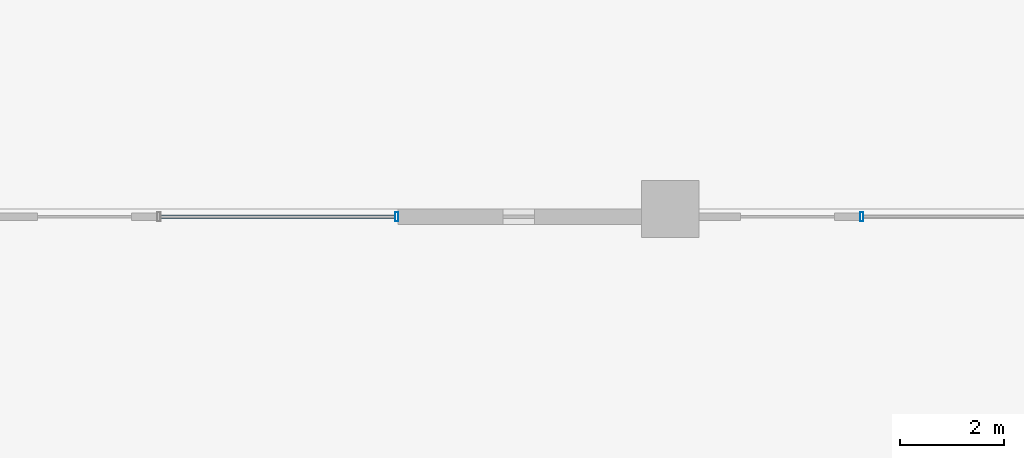
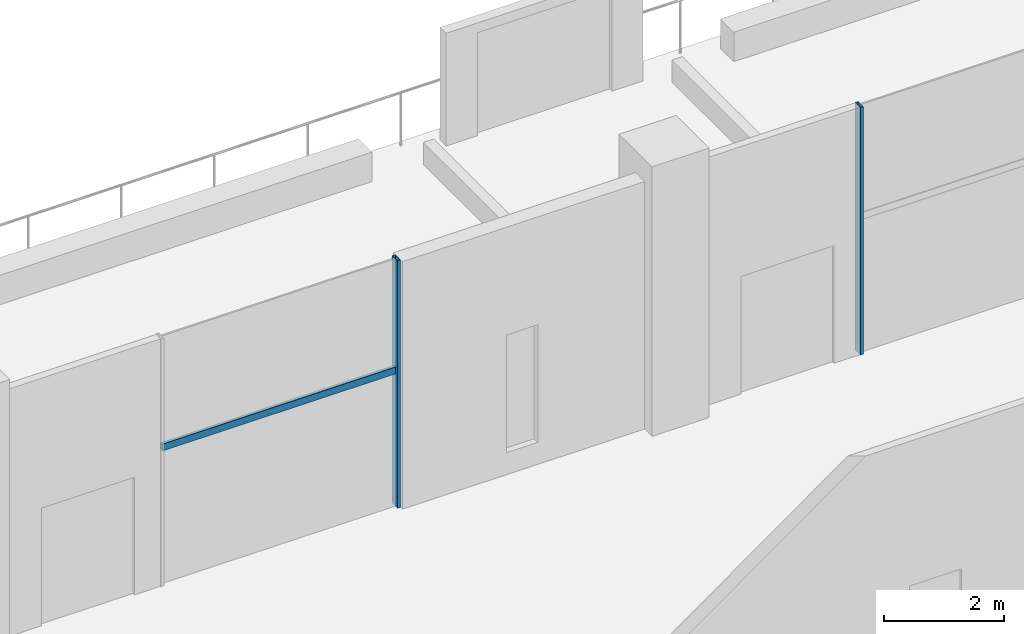
# One storey, part 10 of 47: 3 members, 2 elements without a shape of their own.
"""IFC4 building model written with IfcOpenShell, lengths in metres."""

from ifc_helpers import new_model, si_unit, direction, frame, origin, origin_2d, place, context, subcontext, project, spatial, hollow_rectangle, extrude, material, material_profile, profile_set, type_object, element, aggregate, save


model = new_model("IFC4")

# Units and contexts
model_context = context("Model", 3, precision=1e-05, world=origin(), true_north=direction((0.0, 1.0)))
body_context = subcontext(model_context, "Body", "Model", "MODEL_VIEW")
ifc_project = project(units=[si_unit("LENGTHUNIT", "METRE"), si_unit("AREAUNIT", "SQUARE_METRE"), si_unit("VOLUMEUNIT", "CUBIC_METRE"), si_unit("PLANEANGLEUNIT", "RADIAN"), si_unit("MASSUNIT", "GRAM", prefix="KILO")], contexts=[model_context])

# Site, building, storey
site_placement = place(None, origin())
site = spatial("IfcSite", under=ifc_project, at=site_placement, CompositionType="ELEMENT")
building_placement = place(site_placement, origin())
building = spatial("IfcBuilding", under=site, at=building_placement, Name="Altepetl Exchange Towers", CompositionType="ELEMENT")
storey_placement = place(building_placement, frame((0.0, 0.0, 6.0)))
storey = spatial("IfcBuildingStorey", under=building, at=storey_placement, Name="L01 Retail podium", CompositionType="ELEMENT", Elevation=6.0)

# Curtain wall, member
ifc_material_1 = material(Name="Aluminium 6063-T6 glazing", Category="aluminium")
curtain_wall_type = type_object("IfcCurtainWallType", Name="Podium storefront system", PredefinedType="NOTDEFINED", material=ifc_material_1)
curtain_wall_1_placement = place(storey_placement, origin())
curtain_wall_1 = element("IfcCurtainWall", 1, at=curtain_wall_1_placement, inside=storey, type_object=curtain_wall_type, Name="CW5 run", PredefinedType="NOTDEFINED")
ifc_material_2 = material(Name="Aluminium 6063-T6", Category="aluminium")
ifc_material_profile_1 = material_profile(ifc_material_2, hollow_rectangle(XDim=0.06005859375, YDim=0.175048828125, WallThickness=0.0029296875, at=origin_2d()), Name="Mullion 60x175 aluminium")
ifc_profile_set_1 = profile_set([ifc_material_profile_1], Name="Aluminium 6063-T6")
member_type_1 = type_object("IfcMemberType", Name="Mullion 60x175 aluminium", PredefinedType="MULLION", material=ifc_profile_set_1)
member_1_placement = place(storey_placement, frame((39.679931640625, 89.85009765625, 0.0), z_axis=(0.0, 0.0, 1.0), x_axis=(-1.0, 0.0, 0.0)))
member_1 = element("IfcMember", 2, at=member_1_placement, type_object=member_type_1, Name="MU4 mullion", PredefinedType="MULLION", context=body_context, shape_type="SweptSolid", body=[
    extrude(hollow_rectangle(XDim=0.06005859375, YDim=0.175048828125, WallThickness=0.0029296875, at=origin_2d()), origin(), (0.0, 0.0, 1.0), 5.050048828125),
])
aggregate(curtain_wall_1, [member_1])

# Curtain wall, members
curtain_wall_2_placement = place(storey_placement, origin())
curtain_wall_2 = element("IfcCurtainWall", 3, at=curtain_wall_2_placement, inside=storey, type_object=curtain_wall_type, Name="CW5 run", PredefinedType="NOTDEFINED")
member_2_placement = place(storey_placement, frame((30.7451171875, 89.85009765625, 0.0), z_axis=(0.0, 0.0, 1.0), x_axis=(-1.0, 0.0, 0.0)))
member_2 = element("IfcMember", 4, at=member_2_placement, type_object=member_type_1, Name="MU4 mullion", PredefinedType="MULLION", context=body_context, shape_type="SweptSolid", body=[
    extrude(hollow_rectangle(XDim=0.06005859375, YDim=0.175048828125, WallThickness=0.0029296875, at=origin_2d()), origin(), (0.0, 0.0, 1.0), 5.050048828125),
])
ifc_material_profile_2 = material_profile(ifc_material_2, hollow_rectangle(XDim=0.06005859375, YDim=0.139892578125, WallThickness=0.0029296875, at=origin_2d()), Name="Transom 60x140 aluminium")
ifc_profile_set_2 = profile_set([ifc_material_profile_2], Name="Aluminium 6063-T6")
member_type_2 = type_object("IfcMemberType", Name="Transom 60x140 aluminium", PredefinedType="USERDEFINED", material=ifc_profile_set_2)
member_3_placement = place(storey_placement, frame((30.715087890625, 89.85009765625, 2.780029296875), z_axis=(-1.0, 0.0, 0.0), x_axis=(0.0, -1.0, 0.0)))
member_3 = element("IfcMember", 5, at=member_3_placement, type_object=member_type_2, Name="TR3 transom", ObjectType="TRANSOM", PredefinedType="USERDEFINED", context=body_context, shape_type="SweptSolid", body=[
    extrude(hollow_rectangle(XDim=0.06005859375, YDim=0.139892578125, WallThickness=0.0029296875, at=origin_2d()), origin(), (0.0, 0.0, 1.0), 4.505126953125),
])
aggregate(curtain_wall_2, [member_2, member_3])

save(model, "model.ifc")
